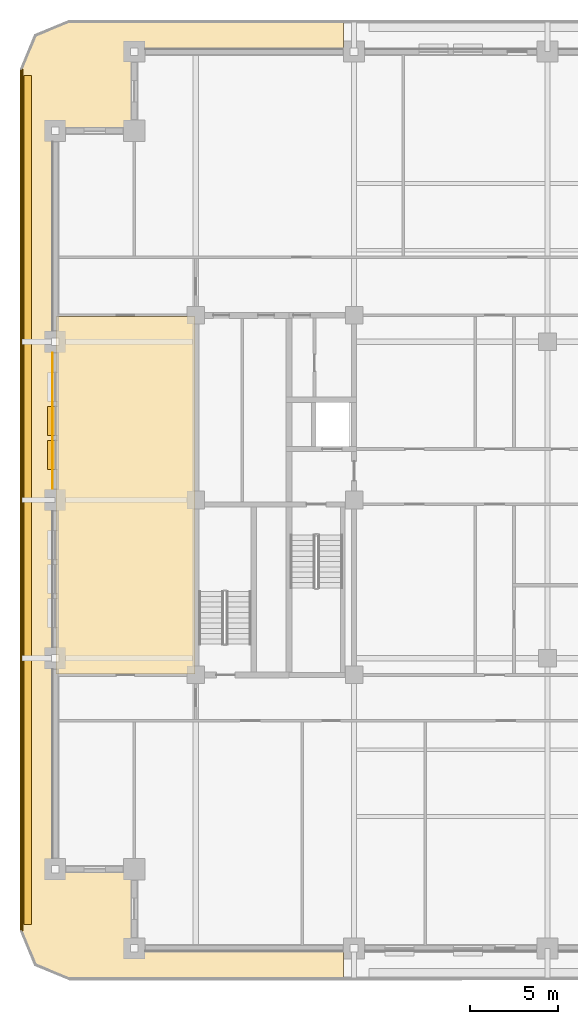
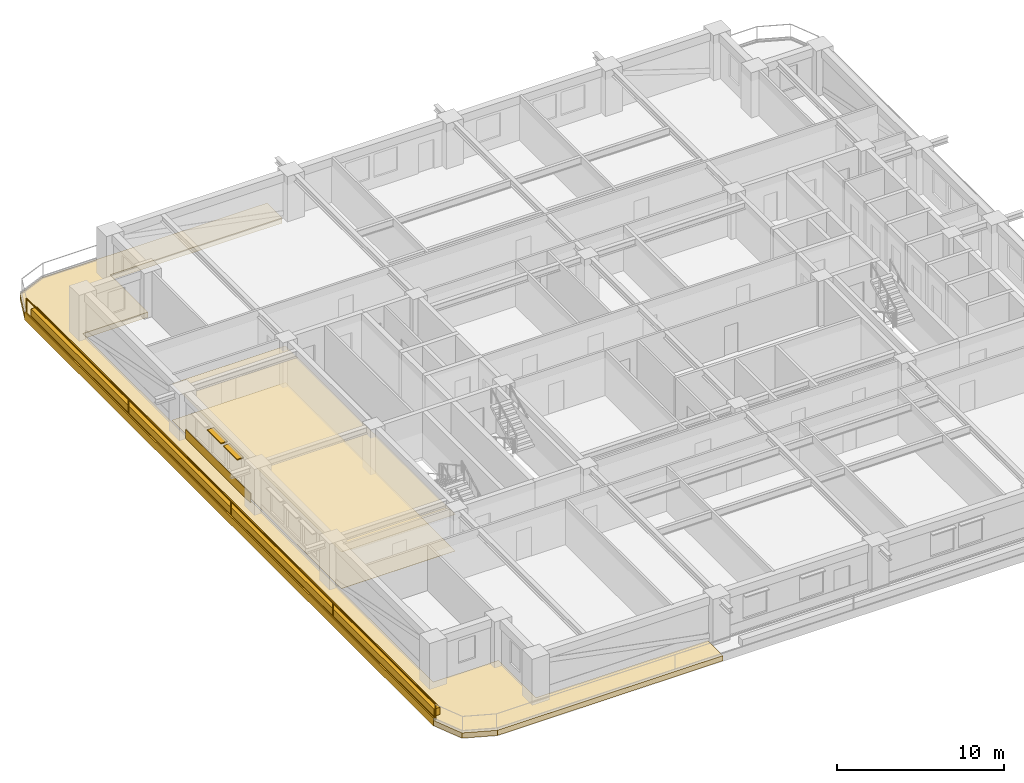
# One storey, part 10 of 16: 6 coverings, 2 shading devices, 1 railing.
"""IFC4 building model written with IfcOpenShell, lengths in metres."""

from ifc_helpers import new_model, si_unit, direction, frame, frame_2d, origin, origin_2d, place, context, subcontext, project, spatial, polyline, rectangle, outline, extrude, material, layer, layer_set, type_object, element, save


model = new_model("IFC4")

# Units and contexts
model_context = context("Model", 3, precision=1e-05, world=origin(), true_north=direction((0.0, 1.0)))
body_context = subcontext(model_context, "Body", "Model", "MODEL_VIEW")
ifc_project = project(units=[si_unit("LENGTHUNIT", "METRE"), si_unit("AREAUNIT", "SQUARE_METRE"), si_unit("VOLUMEUNIT", "CUBIC_METRE"), si_unit("PLANEANGLEUNIT", "RADIAN"), si_unit("MASSUNIT", "GRAM", prefix="KILO")], contexts=[model_context])

# Site, building, storey
site_placement = place(None, origin())
site = spatial("IfcSite", under=ifc_project, at=site_placement, CompositionType="ELEMENT")
building_placement = place(site_placement, origin())
building = spatial("IfcBuilding", under=site, at=building_placement, Name="Zulmaris Gate Convention Tower", CompositionType="ELEMENT")
storey_placement = place(building_placement, frame((0.0, 0.0, 124.919921875)))
storey = spatial("IfcBuildingStorey", under=building, at=storey_placement, Name="L31", CompositionType="ELEMENT", Elevation=124.919921875)

# Coverings
ifc_material_1 = material(Name="Precast concrete C40/50", Category="concrete")
ifc_layer_1 = layer(ifc_material_1, 0.0400390625, Name="Precast concrete C40/50")
ifc_layer_set_1 = layer_set([ifc_layer_1], Name="Precast concrete C40/50")
covering_type_1 = type_object("IfcCoveringType", Name="CLAD-SPANDREL-PRECAST", PredefinedType="CLADDING", material=ifc_layer_set_1)
covering_1_placement = place(storey_placement, frame((-28.14990234375, 8.3701171875, 0.0), z_axis=(0.0, 0.0, 1.0), x_axis=(0.0, -1.0, 0.0)))
element("IfcCovering", 1, at=covering_1_placement, inside=storey, type_object=covering_type_1, Name="CLD-L31-W-2_0", PredefinedType="CLADDING", context=body_context, shape_type="SweptSolid", body=[
    extrude(rectangle(XDim=7.740234375, YDim=0.0400390625, at=frame_2d((3.8701171875, 0.0))), origin(), (0.0, 0.0, 1.0), 0.679931640625),
])
ifc_material_2 = material(Name="White Glazed Architectural Precast Concrete C40/50", Category="concrete")
ifc_layer_2 = layer(ifc_material_2, 0.239990234375, Name="White Glazed Architectural Precast Concrete C40/50")
ifc_layer_set_2 = layer_set([ifc_layer_2], Name="White Glazed Architectural Precast Concrete C40/50")
covering_type_2 = type_object("IfcCoveringType", Name="CLAD-TRAY-DECK", PredefinedType="CLADDING", material=ifc_layer_set_2)
covering_2_placement = place(storey_placement, frame((0.0, 0.0, -0.425048828125)))
element("IfcCovering", 2, at=covering_2_placement, inside=storey, type_object=covering_type_2, Name="L31 West Rounded-Fascia Planter Tray Deck", PredefinedType="CLADDING", context=body_context, shape_type="SweptSolid", body=[
    extrude(outline(polyline([(-30.0, 24.5), (-29.179931640625, 26.47998046875), (-27.199951171875, 27.300048828125), (-11.60205078125, 27.300048828125), (-11.60205078125, 25.5), (-23.5, 25.5), (-23.5, 21.0), (-28.0, 21.0), (-28.0, -21.0), (-23.5, -21.0), (-23.5, -25.5), (-11.60205078125, -25.5), (-11.60205078125, -27.300048828125), (-27.199951171875, -27.300048828125), (-29.179931640625, -26.47998046875), (-30.0, -24.5), (-30.0, 24.5)])), origin(), (0.0, 0.0, 1.0), 0.385009765625),
])
ifc_layer_3 = layer(ifc_material_2, 0.080078125, Name="White Glazed Architectural Precast Concrete C40/50")
ifc_layer_set_3 = layer_set([ifc_layer_3], Name="White Glazed Architectural Precast Concrete C40/50")
covering_type_3 = type_object("IfcCoveringType", Name="CLAD-TRAY-FASCIA", PredefinedType="CLADDING", material=ifc_layer_set_3)
covering_3_placement = place(storey_placement, frame((-29.9599609375, 24.5, -0.465087890625), z_axis=(0.0, 0.0, 1.0), x_axis=(0.0, -1.0, 0.0)))
element("IfcCovering", 3, at=covering_3_placement, inside=storey, type_object=covering_type_3, Name="FSC-L31-TR-11", PredefinedType="CLADDING", context=body_context, shape_type="SweptSolid", body=[
    extrude(rectangle(XDim=49.0, YDim=0.080078125, at=frame_2d((24.5, 0.0))), origin(), (0.0, 0.0, 1.0), 0.5849609375),
])
ifc_material_3 = material(Name="Mineral Fibre Acoustic Ceiling Tile")
ifc_layer_4 = layer(ifc_material_3, 0.02001953125, Name="Mineral Fibre Acoustic Ceiling Tile")
ifc_layer_set_4 = layer_set([ifc_layer_4], Name="Mineral Fibre Acoustic Ceiling Tile")
covering_type_4 = type_object("IfcCoveringType", Name="CLG-ACOUSTIC-600", PredefinedType="CEILING", material=ifc_layer_set_4)
covering_4_placement = place(storey_placement, frame((0.0, 0.0, 2.6796875)))
element("IfcCovering", 4, at=covering_4_placement, inside=storey, type_object=covering_type_4, Name="CLG-L31-R51", PredefinedType="CEILING", context=body_context, shape_type="SweptSolid", body=[
    extrude(outline(polyline([(-27.93994140625, -9.889892578125), (-20.06005859375, -9.889892578125), (-20.06005859375, 10.43994140625), (-27.93994140625, 10.43994140625), (-27.93994140625, -9.889892578125)])), origin(), (0.0, 0.0, 1.0), 0.02001953125),
])
ifc_material_4 = material(Name="Woven Acoustic Wool Carpet Tile")
ifc_layer_5 = layer(ifc_material_4, 0.02001953125, Name="Woven Acoustic Wool Carpet Tile")
ifc_layer_set_5 = layer_set([ifc_layer_5], Name="Woven Acoustic Wool Carpet Tile")
covering_type_5 = type_object("IfcCoveringType", Name="FLR-CARPET-12", PredefinedType="FLOORING", material=ifc_layer_set_5)
covering_5_placement = place(storey_placement, origin())
element("IfcCovering", 5, at=covering_5_placement, inside=storey, type_object=covering_type_5, Name="FLR-L31-R51", PredefinedType="FLOORING", context=body_context, shape_type="SweptSolid", body=[
    extrude(outline(polyline([(-27.93994140625, -9.889892578125), (-20.06005859375, -9.889892578125), (-20.06005859375, 10.43994140625), (-27.93994140625, 10.43994140625), (-27.93994140625, -9.889892578125)])), origin(), (0.0, 0.0, 1.0), 0.02001953125),
])
ifc_material_5 = material(Name="Botanical Green Glazed Precast Concrete C40/50", Category="concrete")
ifc_layer_6 = layer(ifc_material_5, 0.419921875, Name="Botanical Green Glazed Precast Concrete C40/50")
ifc_layer_set_6 = layer_set([ifc_layer_6], Name="Botanical Green Glazed Precast Concrete C40/50")
covering_type_6 = type_object("IfcCoveringType", Name="PLANTER-BOX-200", PredefinedType="CLADDING", material=ifc_layer_set_6)
covering_6_placement = place(storey_placement, frame((0.0, 0.0, -0.0400390625)))
element("IfcCovering", 6, at=covering_6_placement, inside=storey, type_object=covering_type_6, Name="L31 W Full-Length Balcony Tree Planter Trough", PredefinedType="CLADDING", context=body_context, shape_type="SweptSolid", body=[
    extrude(outline(polyline([(-29.760009765625, -24.14990234375), (-29.340087890625, -24.14990234375), (-29.340087890625, 24.14990234375), (-29.760009765625, 24.14990234375), (-29.760009765625, -24.14990234375)])), origin(), (0.0, 0.0, 1.0), 0.52001953125),
])

# Railing
ifc_material_6 = material(Name="Laminated Glass and Stainless Steel", Category="steel")
railing_type = type_object("IfcRailingType", Name="RL-BALC-1150", PredefinedType="BALUSTRADE", material=ifc_material_6)
railing_placement = place(storey_placement, frame((-29.8798828125, 24.5, -0.0400390625)))
element("IfcRailing", 7, at=railing_placement, inside=storey, type_object=railing_type, Name="RL-L31-BALC-W", PredefinedType="BALUSTRADE", context=body_context, shape_type="SweptSolid", body=[
    extrude(rectangle(XDim=0.048095703125, YDim=0.048095703125, at=origin_2d()), frame((0.0, 0.0, 1.1259765625), z_axis=(0.0, -1.0, 0.0), x_axis=(1.0, 0.0, 0.0)), (0.0, 0.0, 1.0), 49.0),
    extrude(rectangle(XDim=0.048095703125, YDim=0.048095703125, at=origin_2d()), frame((0.0, 0.0, 0.02392578125), z_axis=(0.0, -1.0, 0.0), x_axis=(1.0, 0.0, 0.0)), (0.0, 0.0, 1.0), 49.0),
    extrude(rectangle(XDim=0.0419921875, YDim=0.0419921875, at=origin_2d()), origin(), (0.0, 0.0, 1.0), 1.101806640625),
    extrude(rectangle(XDim=0.0419921875, YDim=0.0419921875, at=origin_2d()), frame((0.0, -12.25, 0.0)), (0.0, 0.0, 1.0), 1.101806640625),
    extrude(rectangle(XDim=0.0419921875, YDim=0.0419921875, at=origin_2d()), frame((0.0, -24.5, 0.0)), (0.0, 0.0, 1.0), 1.101806640625),
    extrude(rectangle(XDim=0.0419921875, YDim=0.0419921875, at=origin_2d()), frame((0.0, -36.75, 0.0)), (0.0, 0.0, 1.0), 1.101806640625),
    extrude(rectangle(XDim=0.0419921875, YDim=0.0419921875, at=origin_2d()), frame((0.0, -49.0, 0.0)), (0.0, 0.0, 1.0), 1.101806640625),
])

# Shading devices
ifc_material_7 = material(Name="Glazed Ceramic Terracotta", Category="masonry")
ifc_layer_7 = layer(ifc_material_7, 0.070068359375, Name="Glazed Ceramic Terracotta")
ifc_layer_set_7 = layer_set([ifc_layer_7], Name="Glazed Ceramic Terracotta")
shading_device_type = type_object("IfcShadingDeviceType", Name="SHD-SUNSHADE-TC", PredefinedType="AWNING", material=ifc_layer_set_7)
for number, where, z_axis, x_axis, name in (
    (8, (-28.219970703125, 5.324951171875, 2.530029296875), (0.0, 0.0, 1.0), (0.0, -1.0, 0.0), "SHD-EW-L31-W-2_0-2"),
    (9, (-28.219970703125, 3.389892578125, 2.530029296875), (0.0, 0.0, 1.0), (0.0, -1.0, 0.0), "SHD-EW-L31-W-2_0-3"),
):
    element("IfcShadingDevice", number, at=place(storey_placement, frame(where, z_axis=z_axis, x_axis=x_axis)), inside=storey, type_object=shading_device_type, Name=name, PredefinedType="AWNING", context=body_context, shape_type="SweptSolid", body=[
        extrude(rectangle(XDim=1.64990234375, YDim=0.43994140625, at=frame_2d((0.824951171875, 0.0))), origin(), (0.0, 0.0, 1.0), 0.070068359375),
    ])

save(model, "model.ifc")
